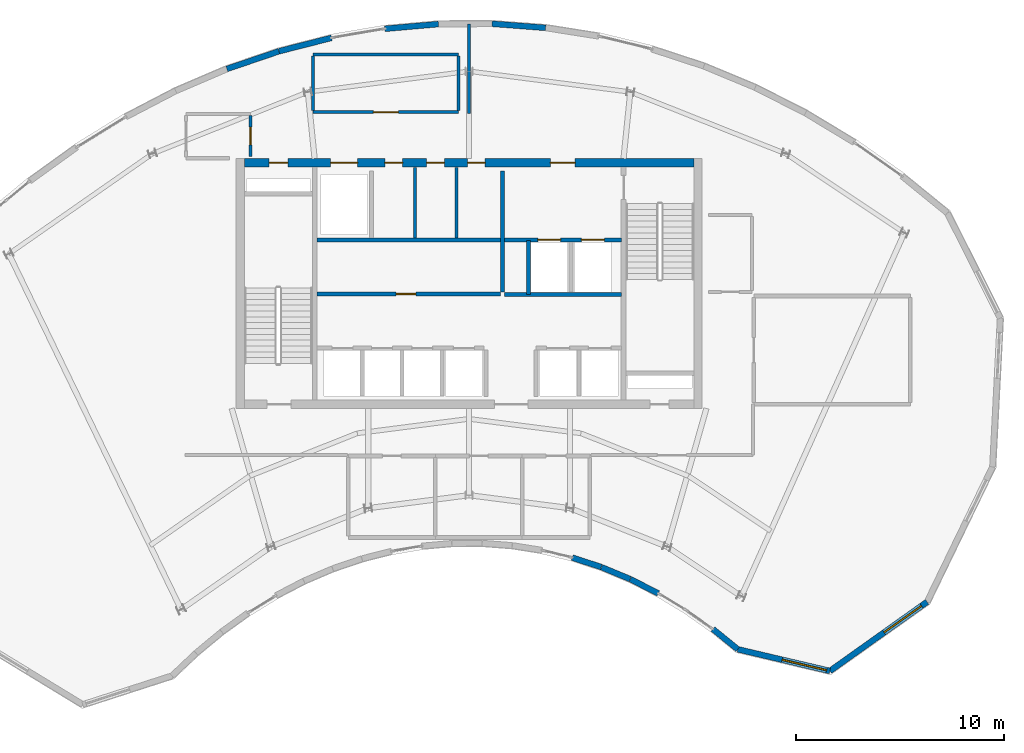
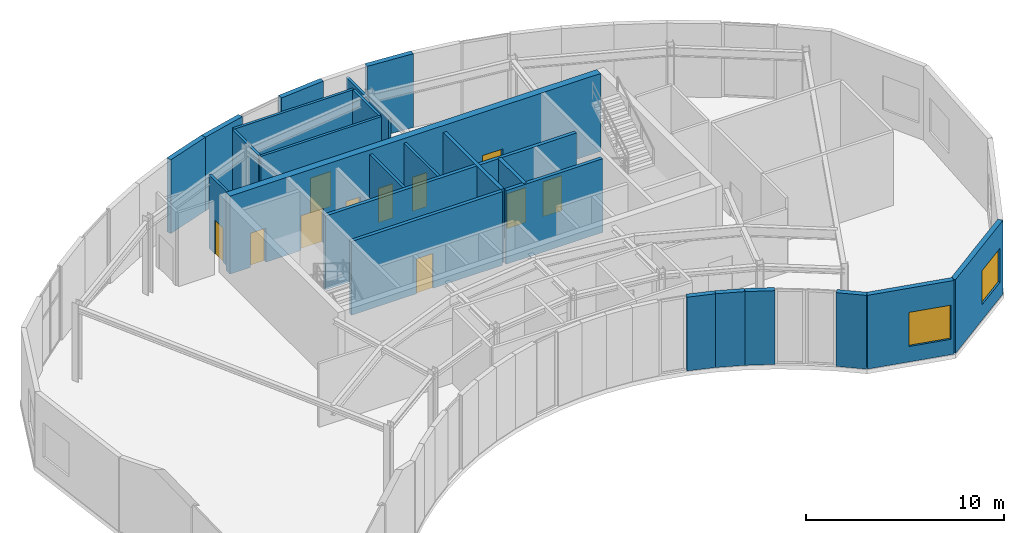
# One storey, part 7 of 10: 25 walls, 11 doors, 2 windows, 13 openings.
"""IFC4 building model written with IfcOpenShell, lengths in metres."""

from ifc_helpers import new_model, si_unit, direction, frame, frame_2d, origin, place, context, subcontext, project, spatial, rectangle, extrude, source, transform, mapped, material, layer, layer_set, type_object, type_shapes, element, fill, save


model = new_model("IFC4")

# Units and contexts
model_context = context("Model", 3, precision=1e-05, world=origin(), true_north=direction((0.0, 1.0)))
body_context = subcontext(model_context, "Body", "Model", "MODEL_VIEW")
ifc_project = project(units=[si_unit("LENGTHUNIT", "METRE"), si_unit("AREAUNIT", "SQUARE_METRE"), si_unit("VOLUMEUNIT", "CUBIC_METRE"), si_unit("PLANEANGLEUNIT", "RADIAN"), si_unit("MASSUNIT", "GRAM", prefix="KILO")], contexts=[model_context])

# Site, building, storey
site_placement = place(None, origin())
site = spatial("IfcSite", under=ifc_project, at=site_placement, CompositionType="ELEMENT")
building_placement = place(site_placement, origin())
building = spatial("IfcBuilding", under=site, at=building_placement, Name="Breltana Convention Tower", CompositionType="ELEMENT")
storey_placement = place(building_placement, frame((0.0, 0.0, 303.0)))
storey = spatial("IfcBuildingStorey", under=building, at=storey_placement, Name="L74", CompositionType="ELEMENT", Elevation=303.0)

# Wall, openings, doors
ifc_material_1 = material(Name="Concrete C50/60", Category="concrete")
ifc_layer_1 = layer(ifc_material_1, 0.39990234375, Name="Concrete C50/60")
ifc_layer_set_1 = layer_set([ifc_layer_1], Name="Concrete C50/60")
wall_type_1 = type_object("IfcWallType", Name="SW-CORE-400", PredefinedType="SHEAR", material=ifc_layer_set_1)
shared_shape_1 = source(origin(), body_context, "Body", "SweptSolid", [
    extrude(rectangle(XDim=21.60009765625, YDim=0.39990234375, at=frame_2d((10.800048828125, 0.0))), origin(), (0.0, 0.0, 1.0), 4.800048828125),
])
wall_1_placement = place(storey_placement, frame((37.199951171875, 72.0, 0.0), z_axis=(0.0, 0.0, 1.0), x_axis=(1.0, 0.0, 0.0)))
wall_1 = element("IfcWall", 1, at=wall_1_placement, inside=storey, type_object=wall_type_1, Name="L74 North Core Shear Wall", PredefinedType="SHEAR", context=body_context, shape_type="MappedRepresentation", body=[
    mapped(shared_shape_1, transform((0.0, 0.0, 0.0), scale=1.0)),
])
opening_1_placement = place(wall_1_placement, frame((1.199951171875, 0.0, 0.0)))
opening_1 = element("IfcOpeningElement", 2, at=opening_1_placement, cuts=wall_1, Name="Opening D-18", PredefinedType="OPENING", context=body_context, shape_type="SweptSolid", body=[
    extrude(rectangle(XDim=0.89990234375, YDim=2.10009765625, at=frame_2d((0.449951171875, 1.050048828125))), frame((0.0, 0.2099609375, 0.0), z_axis=(0.0, -1.0, 0.0), x_axis=(1.0, 0.0, 0.0)), (0.0, 0.0, 1.0), 0.419921875),
])
opening_2_placement = place(wall_1_placement, frame((14.699951171875, 0.0, 0.0)))
opening_2 = element("IfcOpeningElement", 3, at=opening_2_placement, cuts=wall_1, Name="Opening D-09", PredefinedType="OPENING", context=body_context, shape_type="SweptSolid", body=[
    extrude(rectangle(XDim=1.199951171875, YDim=2.14990234375, at=frame_2d((0.60009765625, 1.074951171875))), frame((0.0, 0.2099609375, 0.0), z_axis=(0.0, -1.0, 0.0), x_axis=(1.0, 0.0, 0.0)), (0.0, 0.0, 1.0), 0.419921875),
])
opening_3_placement = place(wall_1_placement, frame((4.14990234375, 0.0, 0.0)))
opening_3 = element("IfcOpeningElement", 4, at=opening_3_placement, cuts=wall_1, Name="Opening LD-01", PredefinedType="OPENING", context=body_context, shape_type="SweptSolid", body=[
    extrude(rectangle(XDim=1.300048828125, YDim=2.14990234375, at=frame_2d((0.64990234375, 1.074951171875))), frame((0.0, 0.2099609375, 0.0), z_axis=(0.0, -1.0, 0.0), x_axis=(1.0, 0.0, 0.0)), (0.0, 0.0, 1.0), 0.419921875),
])
opening_4_placement = place(wall_1_placement, frame((6.760009765625, 0.0, 0.0)))
opening_4 = element("IfcOpeningElement", 5, at=opening_4_placement, cuts=wall_1, Name="Opening D-20", PredefinedType="OPENING", context=body_context, shape_type="SweptSolid", body=[
    extrude(rectangle(XDim=0.85009765625, YDim=2.10009765625, at=frame_2d((0.425048828125, 1.050048828125))), frame((0.0, 0.2099609375, 0.0), z_axis=(0.0, -1.0, 0.0), x_axis=(1.0, 0.0, 0.0)), (0.0, 0.0, 1.0), 0.419921875),
])
opening_5_placement = place(wall_1_placement, frame((8.760009765625, 0.0, 0.0)))
opening_5 = element("IfcOpeningElement", 6, at=opening_5_placement, cuts=wall_1, Name="Opening D-20", PredefinedType="OPENING", context=body_context, shape_type="SweptSolid", body=[
    extrude(rectangle(XDim=0.85009765625, YDim=2.10009765625, at=frame_2d((0.425048828125, 1.050048828125))), frame((0.0, 0.2099609375, 0.0), z_axis=(0.0, -1.0, 0.0), x_axis=(1.0, 0.0, 0.0)), (0.0, 0.0, 1.0), 0.419921875),
])
opening_6_placement = place(wall_1_placement, frame((10.72509765625, 0.0, 0.0)))
opening_6 = element("IfcOpeningElement", 7, at=opening_6_placement, cuts=wall_1, Name="Opening D-20", PredefinedType="OPENING", context=body_context, shape_type="SweptSolid", body=[
    extrude(rectangle(XDim=0.85009765625, YDim=2.10009765625, at=frame_2d((0.425048828125, 1.050048828125))), frame((0.0, 0.2099609375, 0.0), z_axis=(0.0, -1.0, 0.0), x_axis=(1.0, 0.0, 0.0)), (0.0, 0.0, 1.0), 0.419921875),
])
ifc_material_2 = material(Name="Steel Riser Fire Door", Category="steel")
door_type_1 = type_object("IfcDoorType", Name="DR-FD60-900", OperationType="NOTDEFINED", PredefinedType="DOOR", material=ifc_material_2)
shared_shape_2 = source(origin(), body_context, "Body", "SweptSolid", [
    extrude(rectangle(XDim=0.89990234375, YDim=2.10009765625, at=frame_2d((0.449951171875, 1.050048828125))), frame((0.0, 0.02490234375, 0.0), z_axis=(0.0, -1.0, 0.0), x_axis=(1.0, 0.0, 0.0)), (0.0, 0.0, 1.0), 0.050048828125),
])
type_shapes(door_type_1, [shared_shape_2])
door_1_placement = place(opening_1_placement, origin())
door_1 = element("IfcDoor", 8, at=door_1_placement, inside=storey, type_object=door_type_1, Name="L74 Core Riser Access Door D-L74-RS1", OperationType="SINGLE_SWING_LEFT", OverallHeight=2.10009765625, OverallWidth=0.89990234375, PredefinedType="DOOR", context=body_context, shape_type="MappedRepresentation", body=[
    mapped(shared_shape_2, transform((0.0, 0.0, 0.0), scale=1.0)),
])
fill(opening_1, door_1)
ifc_material_3 = material(Name="Steel Fire Lobby Door", Category="steel")
door_type_2 = type_object("IfcDoorType", Name="DR-FD120-1200", OperationType="NOTDEFINED", PredefinedType="DOOR", material=ifc_material_3)
shared_shape_3 = source(origin(), body_context, "Body", "SweptSolid", [
    extrude(rectangle(XDim=1.199951171875, YDim=2.14990234375, at=frame_2d((0.60009765625, 1.074951171875))), frame((0.0, 0.02490234375, 0.0), z_axis=(0.0, -1.0, 0.0), x_axis=(1.0, 0.0, 0.0)), (0.0, 0.0, 1.0), 0.050048828125),
])
type_shapes(door_type_2, [shared_shape_3])
door_2_placement = place(opening_2_placement, origin())
door_2 = element("IfcDoor", 9, at=door_2_placement, inside=storey, type_object=door_type_2, Name="L74 interior door D-L74-FFL-N", OperationType="SINGLE_SWING_RIGHT", OverallHeight=2.14990234375, OverallWidth=1.199951171875, PredefinedType="DOOR", context=body_context, shape_type="MappedRepresentation", body=[
    mapped(shared_shape_3, transform((0.0, 0.0, 0.0), scale=1.0)),
])
fill(opening_2, door_2)
ifc_material_4 = material(Name="Stainless Steel Brushed", Category="steel")
door_type_3 = type_object("IfcDoorType", Name="DR-LD-SRV-1300", OperationType="DOUBLE_DOOR_SLIDING", PredefinedType="DOOR", material=ifc_material_4)
shared_shape_4 = source(origin(), body_context, "Body", "SweptSolid", [
    extrude(rectangle(XDim=1.300048828125, YDim=2.14990234375, at=frame_2d((0.64990234375, 1.074951171875))), frame((0.0, 0.02490234375, 0.0), z_axis=(0.0, -1.0, 0.0), x_axis=(1.0, 0.0, 0.0)), (0.0, 0.0, 1.0), 0.050048828125),
])
type_shapes(door_type_3, [shared_shape_4])
door_3_placement = place(opening_3_placement, origin())
door_3 = element("IfcDoor", 10, at=door_3_placement, inside=storey, type_object=door_type_3, Name="L74 Lift Landing Door D-L74-LD-SV1", OperationType="DOUBLE_DOOR_SLIDING", OverallHeight=2.14990234375, OverallWidth=1.300048828125, PredefinedType="DOOR", context=body_context, shape_type="MappedRepresentation", body=[
    mapped(shared_shape_4, transform((0.0, 0.0, 0.0), scale=1.0)),
])
fill(opening_3, door_3)
ifc_material_5 = material(Name="Steel Closet Fire Door", Category="steel")
door_type_4 = type_object("IfcDoorType", Name="DR-FD60-850", OperationType="NOTDEFINED", PredefinedType="DOOR", material=ifc_material_5)
shared_shape_5 = source(origin(), body_context, "Body", "SweptSolid", [
    extrude(rectangle(XDim=0.85009765625, YDim=2.10009765625, at=frame_2d((0.425048828125, 1.050048828125))), frame((0.0, 0.02490234375, 0.0), z_axis=(0.0, -1.0, 0.0), x_axis=(1.0, 0.0, 0.0)), (0.0, 0.0, 1.0), 0.050048828125),
])
type_shapes(door_type_4, [shared_shape_5])
door_4_placement = place(opening_4_placement, origin())
door_4 = element("IfcDoor", 11, at=door_4_placement, inside=storey, type_object=door_type_4, Name="L74 interior door D-L74-CRA1", OperationType="SINGLE_SWING_RIGHT", OverallHeight=2.10009765625, OverallWidth=0.85009765625, PredefinedType="DOOR", context=body_context, shape_type="MappedRepresentation", body=[
    mapped(shared_shape_5, transform((0.0, 0.0, 0.0), scale=1.0)),
])
fill(opening_4, door_4)
door_5_placement = place(opening_5_placement, origin())
door_5 = element("IfcDoor", 12, at=door_5_placement, inside=storey, type_object=door_type_4, Name="L74 interior door D-L74-CRA2", OperationType="SINGLE_SWING_LEFT", OverallHeight=2.10009765625, OverallWidth=0.85009765625, PredefinedType="DOOR", context=body_context, shape_type="MappedRepresentation", body=[
    mapped(shared_shape_5, transform((0.0, 0.0, 0.0), scale=1.0)),
])
fill(opening_5, door_5)
door_6_placement = place(opening_6_placement, origin())
door_6 = element("IfcDoor", 13, at=door_6_placement, inside=storey, type_object=door_type_4, Name="L74 interior door D-L74-CRA3", OperationType="SINGLE_SWING_RIGHT", OverallHeight=2.10009765625, OverallWidth=0.85009765625, PredefinedType="DOOR", context=body_context, shape_type="MappedRepresentation", body=[
    mapped(shared_shape_5, transform((0.0, 0.0, 0.0), scale=1.0)),
])
fill(opening_6, door_6)

# Wall, opening, window
ifc_material_6 = material(Name="Limestone Buff Insulated Wall", Category="masonry")
ifc_layer_2 = layer(ifc_material_6, 0.280029296875, Name="Limestone Buff Insulated Wall")
ifc_layer_set_2 = layer_set([ifc_layer_2], Name="Limestone Buff Insulated Wall")
wall_type_2 = type_object("IfcWallType", Name="WL-EXT-NOSE-280", PredefinedType="SOLIDWALL", material=ifc_layer_set_2)
shared_shape_6 = source(origin(), body_context, "Body", "SweptSolid", [
    extrude(rectangle(XDim=5.730712890625, YDim=0.280029296875, at=frame_2d((2.865234375, 0.0))), origin(), (0.0, 0.0, 1.0), 4.5400390625),
])
wall_2_placement = place(storey_placement, frame((70.003662109375, 50.9091796875, 0.0), z_axis=(0.0, 0.0, 1.0), x_axis=(-0.815021045908, -0.579431354629, 0.0)))
wall_2 = element("IfcWall", 14, at=wall_2_placement, inside=storey, type_object=wall_type_2, Name="L74 curved limestone nose wall E4", PredefinedType="SOLIDWALL", context=body_context, shape_type="MappedRepresentation", body=[
    mapped(shared_shape_6, transform((0.0, 0.0, 0.0), scale=1.0)),
])
opening_7_placement = place(wall_2_placement, frame((0.332763671875, 0.0, 0.949951171875)))
opening_7 = element("IfcOpeningElement", 15, at=opening_7_placement, cuts=wall_2, Name="Opening W-03", PredefinedType="OPENING", context=body_context, shape_type="SweptSolid", body=[
    extrude(rectangle(XDim=2.199951171875, YDim=2.10009765625, at=frame_2d((1.10009765625, 1.050048828125))), frame((0.0, 0.14990234375, 0.0), z_axis=(0.0, -1.0, 0.0), x_axis=(1.0, 0.0, 0.0)), (0.0, 0.0, 1.0), 0.300048828125),
])
ifc_material_7 = material(Name="Glass Low-E Insulated Window", Category="glass")
window_type = type_object("IfcWindowType", Name="WN-NOSE-2200X2100", PartitioningType="TRIPLE_PANEL_VERTICAL", PredefinedType="WINDOW", material=ifc_material_7)
shared_shape_7 = source(origin(), body_context, "Body", "SweptSolid", [
    extrude(rectangle(XDim=2.199951171875, YDim=2.10009765625, at=frame_2d((1.10009765625, 1.050048828125))), frame((0.0, 0.030029296875, 0.0), z_axis=(0.0, -1.0, 0.0), x_axis=(1.0, 0.0, 0.0)), (0.0, 0.0, 1.0), 0.06005859375),
])
type_shapes(window_type, [shared_shape_7])
window_1_placement = place(opening_7_placement, origin())
window_1 = element("IfcWindow", 16, at=window_1_placement, inside=storey, type_object=window_type, Name="L74 nose window E4", OverallHeight=2.10009765625, OverallWidth=2.199951171875, PartitioningType="TRIPLE_PANEL_VERTICAL", PredefinedType="WINDOW", context=body_context, shape_type="MappedRepresentation", body=[
    mapped(shared_shape_7, transform((0.0, 0.0, 0.0), scale=1.0)),
])
fill(opening_7, window_1)

shared_shape_8 = source(origin(), body_context, "Body", "SweptSolid", [
    extrude(rectangle(XDim=4.546630859375, YDim=0.280029296875, at=frame_2d((2.2734375, 0.0))), origin(), (0.0, 0.0, 1.0), 4.5400390625),
])
wall_3_placement = place(storey_placement, frame((65.3330078125, 47.588623046875, 0.0), z_axis=(0.0, 0.0, 1.0), x_axis=(-0.973332593516, 0.229398479505, 0.0)))
wall_3 = element("IfcWall", 17, at=wall_3_placement, inside=storey, type_object=wall_type_2, Name="L74 curved limestone nose wall E5", PredefinedType="SOLIDWALL", context=body_context, shape_type="MappedRepresentation", body=[
    mapped(shared_shape_8, transform((0.0, 0.0, 0.0), scale=1.0)),
])
opening_8_placement = place(wall_3_placement, frame((0.159912109375, 0.0, 0.949951171875)))
opening_8 = element("IfcOpeningElement", 18, at=opening_8_placement, cuts=wall_3, Name="Opening W-03", PredefinedType="OPENING", context=body_context, shape_type="SweptSolid", body=[
    extrude(rectangle(XDim=2.199951171875, YDim=2.10009765625, at=frame_2d((1.10009765625, 1.050048828125))), frame((0.0, 0.14990234375, 0.0), z_axis=(0.0, -1.0, 0.0), x_axis=(1.0, 0.0, 0.0)), (0.0, 0.0, 1.0), 0.300048828125),
])
window_2_placement = place(opening_8_placement, origin())
window_2 = element("IfcWindow", 19, at=window_2_placement, inside=storey, type_object=window_type, Name="L74 nose window E5", OverallHeight=2.10009765625, OverallWidth=2.199951171875, PartitioningType="TRIPLE_PANEL_VERTICAL", PredefinedType="WINDOW", context=body_context, shape_type="MappedRepresentation", body=[
    mapped(shared_shape_7, transform((0.0, 0.0, 0.0), scale=1.0)),
])
fill(opening_8, window_2)

# Walls
shared_shape_9 = source(origin(), body_context, "Body", "SweptSolid", [
    extrude(rectangle(XDim=1.54345703125, YDim=0.280029296875, at=frame_2d((0.771728515625, 0.0))), origin(), (0.0, 0.0, 1.0), 4.5400390625),
])
wall_4_placement = place(storey_placement, frame((60.90771484375, 48.631591796875, 0.0), z_axis=(0.0, 0.0, 1.0), x_axis=(-0.77582846857, 0.63094388606, 0.0)))
element("IfcWall", 20, at=wall_4_placement, inside=storey, type_object=wall_type_2, Name="L74 curved limestone nose wall E6", PredefinedType="SOLIDWALL", context=body_context, shape_type="MappedRepresentation", body=[
    mapped(shared_shape_9, transform((0.0, 0.0, 0.0), scale=1.0)),
])
shared_shape_10 = source(origin(), body_context, "Body", "SweptSolid", [
    extrude(rectangle(XDim=1.508544921875, YDim=0.280029296875, at=frame_2d((0.75439453125, 0.0))), origin(), (0.0, 0.0, 1.0), 4.5400390625),
])
wall_5_placement = place(storey_placement, frame((57.09375, 51.3154296875, 0.0), z_axis=(0.0, 0.0, 1.0), x_axis=(-0.89169189228, 0.452642871635, 0.0)))
element("IfcWall", 21, at=wall_5_placement, inside=storey, type_object=wall_type_2, Name="L74 curved limestone nose wall E7", PredefinedType="SOLIDWALL", context=body_context, shape_type="MappedRepresentation", body=[
    mapped(shared_shape_10, transform((0.0, 0.0, 0.0), scale=1.0)),
])
shared_shape_11 = source(origin(), body_context, "Body", "SweptSolid", [
    extrude(rectangle(XDim=1.48779296875, YDim=0.280029296875, at=frame_2d((0.743896484375, 0.0))), origin(), (0.0, 0.0, 1.0), 4.5400390625),
])
wall_6_placement = place(storey_placement, frame((55.736328125, 52.00390625, 0.0), z_axis=(0.0, 0.0, 1.0), x_axis=(-0.923261314935, 0.384172545017, 0.0)))
element("IfcWall", 22, at=wall_6_placement, inside=storey, type_object=wall_type_2, Name="L74 curved limestone nose wall E8", PredefinedType="SOLIDWALL", context=body_context, shape_type="MappedRepresentation", body=[
    mapped(shared_shape_11, transform((0.0, 0.0, 0.0), scale=1.0)),
])
shared_shape_12 = source(origin(), body_context, "Body", "SweptSolid", [
    extrude(rectangle(XDim=1.470458984375, YDim=0.280029296875, at=frame_2d((0.7353515625, 0.0))), origin(), (0.0, 0.0, 1.0), 4.5400390625),
])
wall_7_placement = place(storey_placement, frame((54.349609375, 52.580322265625, 0.0), z_axis=(0.0, 0.0, 1.0), x_axis=(-0.950248878954, 0.311491682145, 0.0)))
element("IfcWall", 23, at=wall_7_placement, inside=storey, type_object=wall_type_2, Name="L74 curved limestone nose wall E9", PredefinedType="SOLIDWALL", context=body_context, shape_type="MappedRepresentation", body=[
    mapped(shared_shape_12, transform((0.0, 0.0, 0.0), scale=1.0)),
])
shared_shape_13 = source(origin(), body_context, "Body", "SweptSolid", [
    extrude(rectangle(XDim=2.640380859375, YDim=0.280029296875, at=frame_2d((1.3203125, 0.0))), origin(), (0.0, 0.0, 1.0), 4.5400390625),
])
wall_8_placement = place(storey_placement, frame((36.36376953125, 76.51123046875, 0.0), z_axis=(0.0, 0.0, 1.0), x_axis=(0.946685911962, 0.322158011064, 0.0)))
element("IfcWall", 24, at=wall_8_placement, inside=storey, type_object=wall_type_2, Name="L74 curved limestone nose wall E23", PredefinedType="SOLIDWALL", context=body_context, shape_type="MappedRepresentation", body=[
    mapped(shared_shape_13, transform((0.0, 0.0, 0.0), scale=1.0)),
])
shared_shape_14 = source(origin(), body_context, "Body", "SweptSolid", [
    extrude(rectangle(XDim=2.6142578125, YDim=0.280029296875, at=frame_2d((1.30712890625, 0.0))), origin(), (0.0, 0.0, 1.0), 4.5400390625),
])
wall_9_placement = place(storey_placement, frame((38.86328125, 77.36181640625, 0.0), z_axis=(0.0, 0.0, 1.0), x_axis=(0.969106509315, 0.246642602978, 0.0)))
element("IfcWall", 25, at=wall_9_placement, inside=storey, type_object=wall_type_2, Name="L74 curved limestone nose wall E24", PredefinedType="SOLIDWALL", context=body_context, shape_type="MappedRepresentation", body=[
    mapped(shared_shape_14, transform((0.0, 0.0, 0.0), scale=1.0)),
])
shared_shape_15 = source(origin(), body_context, "Body", "SweptSolid", [
    extrude(rectangle(XDim=2.58251953125, YDim=0.280029296875, at=frame_2d((1.291259765625, 0.0))), origin(), (0.0, 0.0, 1.0), 4.5400390625),
])
wall_10_placement = place(storey_placement, frame((43.954345703125, 78.4423828125, 0.0), z_axis=(0.0, 0.0, 1.0), x_axis=(0.996168946569, 0.087449584851, 0.0)))
element("IfcWall", 26, at=wall_10_placement, inside=storey, type_object=wall_type_2, Name="L74 curved limestone nose wall E25", PredefinedType="SOLIDWALL", context=body_context, shape_type="MappedRepresentation", body=[
    mapped(shared_shape_15, transform((0.0, 0.0, 0.0), scale=1.0)),
])
shared_shape_16 = source(origin(), body_context, "Body", "SweptSolid", [
    extrude(rectangle(XDim=2.581298828125, YDim=0.280029296875, at=frame_2d((1.29052734375, 0.0))), origin(), (0.0, 0.0, 1.0), 4.5400390625),
])
wall_11_placement = place(storey_placement, frame((49.10498046875, 78.68359375, 0.0), z_axis=(0.0, 0.0, 1.0), x_axis=(0.997111514352, -0.075951484161, 0.0)))
element("IfcWall", 27, at=wall_11_placement, inside=storey, type_object=wall_type_2, Name="L74 curved limestone nose wall E27", PredefinedType="SOLIDWALL", context=body_context, shape_type="MappedRepresentation", body=[
    mapped(shared_shape_16, transform((0.0, 0.0, 0.0), scale=1.0)),
])

# Wall, openings, doors
ifc_material_8 = material(Name="Autoclaved Aerated Concrete Block", Category="concrete")
ifc_layer_3 = layer(ifc_material_8, 0.199951171875, Name="Autoclaved Aerated Concrete Block")
ifc_layer_set_3 = layer_set([ifc_layer_3], Name="Autoclaved Aerated Concrete Block")
wall_type_3 = type_object("IfcWallType", Name="WL-SHAFT-200", PredefinedType="SOLIDWALL", material=ifc_layer_set_3)
shared_shape_17 = source(origin(), body_context, "Body", "SweptSolid", [
    extrude(rectangle(XDim=5.6201171875, YDim=0.199951171875, at=frame_2d((2.81005859375, 0.0))), origin(), (0.0, 0.0, 1.0), 4.5400390625),
])
wall_12_placement = place(storey_placement, frame((49.699951171875, 68.300048828125, 0.0), z_axis=(0.0, 0.0, 1.0), x_axis=(1.0, 0.0, 0.0)))
wall_12 = element("IfcWall", 28, at=wall_12_placement, inside=storey, type_object=wall_type_3, Name="L74 interior partition W-L74-FFL-S", PredefinedType="SOLIDWALL", context=body_context, shape_type="MappedRepresentation", body=[
    mapped(shared_shape_17, transform((0.0, 0.0, 0.0), scale=1.0)),
])
opening_9_placement = place(wall_12_placement, frame((1.60009765625, 0.0, 0.0)))
opening_9 = element("IfcOpeningElement", 29, at=opening_9_placement, cuts=wall_12, Name="Opening LD-03", PredefinedType="OPENING", context=body_context, shape_type="SweptSolid", body=[
    extrude(rectangle(XDim=1.10009765625, YDim=2.14990234375, at=frame_2d((0.550048828125, 1.074951171875))), frame((0.0, 0.10986328125, 0.0), z_axis=(0.0, -1.0, 0.0), x_axis=(1.0, 0.0, 0.0)), (0.0, 0.0, 1.0), 0.219970703125),
])
opening_10_placement = place(wall_12_placement, frame((3.699951171875, 0.0, 0.0)))
opening_10 = element("IfcOpeningElement", 30, at=opening_10_placement, cuts=wall_12, Name="Opening LD-03", PredefinedType="OPENING", context=body_context, shape_type="SweptSolid", body=[
    extrude(rectangle(XDim=1.10009765625, YDim=2.14990234375, at=frame_2d((0.550048828125, 1.074951171875))), frame((0.0, 0.10986328125, 0.0), z_axis=(0.0, -1.0, 0.0), x_axis=(1.0, 0.0, 0.0)), (0.0, 0.0, 1.0), 0.219970703125),
])
door_type_5 = type_object("IfcDoorType", Name="DR-LD-FF-1100", OperationType="DOUBLE_DOOR_SLIDING", PredefinedType="DOOR", material=ifc_material_4)
shared_shape_18 = source(origin(), body_context, "Body", "SweptSolid", [
    extrude(rectangle(XDim=1.10009765625, YDim=2.14990234375, at=frame_2d((0.550048828125, 1.074951171875))), frame((0.0, 0.02490234375, 0.0), z_axis=(0.0, -1.0, 0.0), x_axis=(1.0, 0.0, 0.0)), (0.0, 0.0, 1.0), 0.050048828125),
])
type_shapes(door_type_5, [shared_shape_18])
door_7_placement = place(opening_9_placement, origin())
door_7 = element("IfcDoor", 31, at=door_7_placement, inside=storey, type_object=door_type_5, Name="L74 Lift Landing Door D-L74-LD-FL1", OperationType="DOUBLE_DOOR_SLIDING", OverallHeight=2.14990234375, OverallWidth=1.10009765625, PredefinedType="DOOR", context=body_context, shape_type="MappedRepresentation", body=[
    mapped(shared_shape_18, transform((0.0, 0.0, 0.0), scale=1.0)),
])
fill(opening_9, door_7)
door_8_placement = place(opening_10_placement, origin())
door_8 = element("IfcDoor", 32, at=door_8_placement, inside=storey, type_object=door_type_5, Name="L74 Lift Landing Door D-L74-LD-FL2", OperationType="DOUBLE_DOOR_SLIDING", OverallHeight=2.14990234375, OverallWidth=1.10009765625, PredefinedType="DOOR", context=body_context, shape_type="MappedRepresentation", body=[
    mapped(shared_shape_18, transform((0.0, 0.0, 0.0), scale=1.0)),
])
fill(opening_10, door_8)

# Walls
wall_13_placement = place(storey_placement, frame((49.699951171875, 65.679931640625, 0.0), z_axis=(0.0, 0.0, 1.0), x_axis=(1.0, 0.0, 0.0)))
element("IfcWall", 33, at=wall_13_placement, inside=storey, type_object=wall_type_3, Name="L74 interior partition W-L74-FL-S", PredefinedType="SOLIDWALL", context=body_context, shape_type="MappedRepresentation", body=[
    mapped(shared_shape_17, transform((0.0, 0.0, 0.0), scale=1.0)),
])
shared_shape_19 = source(origin(), body_context, "Body", "SweptSolid", [
    extrude(rectangle(XDim=5.800048828125, YDim=0.199951171875, at=frame_2d((2.89990234375, 0.0))), origin(), (0.0, 0.0, 1.0), 4.5400390625),
])
wall_14_placement = place(storey_placement, frame((49.60009765625, 65.800048828125, 0.0), z_axis=(0.0, 0.0, 1.0), x_axis=(0.0, 1.0, 0.0)))
element("IfcWall", 34, at=wall_14_placement, inside=storey, type_object=wall_type_3, Name="L74 interior partition W-L74-FFL-W", PredefinedType="SOLIDWALL", context=body_context, shape_type="MappedRepresentation", body=[
    mapped(shared_shape_19, transform((0.0, 0.0, 0.0), scale=1.0)),
])
shared_shape_20 = source(origin(), body_context, "Body", "SweptSolid", [
    extrude(rectangle(XDim=2.580078125, YDim=0.199951171875, at=frame_2d((1.2900390625, 0.0))), origin(), (0.0, 0.0, 1.0), 4.5400390625),
])
wall_15_placement = place(storey_placement, frame((50.85009765625, 65.679931640625, 0.0), z_axis=(0.0, 0.0, 1.0), x_axis=(0.0, 1.0, 0.0)))
element("IfcWall", 35, at=wall_15_placement, inside=storey, type_object=wall_type_3, Name="L74 interior partition W-L74-FL-W", PredefinedType="SOLIDWALL", context=body_context, shape_type="MappedRepresentation", body=[
    mapped(shared_shape_20, transform((0.0, 0.0, 0.0), scale=1.0)),
])
shared_shape_21 = source(origin(), body_context, "Body", "SweptSolid", [
    extrude(rectangle(XDim=8.800048828125, YDim=0.199951171875, at=frame_2d((4.39990234375, 0.0))), origin(), (0.0, 0.0, 1.0), 4.5400390625),
])
wall_16_placement = place(storey_placement, frame((40.699951171875, 68.300048828125, 0.0), z_axis=(0.0, 0.0, 1.0), x_axis=(1.0, 0.0, 0.0)))
element("IfcWall", 36, at=wall_16_placement, inside=storey, type_object=wall_type_3, Name="L74 interior partition W-L74-SV-S", PredefinedType="SOLIDWALL", context=body_context, shape_type="MappedRepresentation", body=[
    mapped(shared_shape_21, transform((0.0, 0.0, 0.0), scale=1.0)),
])

# Wall, opening, door
wall_17_placement = place(storey_placement, frame((40.699951171875, 65.699951171875, 0.0), z_axis=(0.0, 0.0, 1.0), x_axis=(1.0, 0.0, 0.0)))
wall_17 = element("IfcWall", 37, at=wall_17_placement, inside=storey, type_object=wall_type_3, Name="L74 interior partition W-L74-SH-M-FRONT", PredefinedType="SOLIDWALL", context=body_context, shape_type="MappedRepresentation", body=[
    mapped(shared_shape_21, transform((0.0, 0.0, 0.0), scale=1.0)),
])
opening_11_placement = place(wall_17_placement, frame((3.800048828125, 0.0, 0.0)))
opening_11 = element("IfcOpeningElement", 38, at=opening_11_placement, cuts=wall_17, Name="Opening D-14", PredefinedType="OPENING", context=body_context, shape_type="SweptSolid", body=[
    extrude(rectangle(XDim=0.949951171875, YDim=2.14990234375, at=frame_2d((0.47509765625, 1.074951171875))), frame((0.0, 0.10986328125, 0.0), z_axis=(0.0, -1.0, 0.0), x_axis=(1.0, 0.0, 0.0)), (0.0, 0.0, 1.0), 0.219970703125),
])
ifc_material_9 = material(Name="Timber Solid-Core Fire Door", Category="wood")
door_type_6 = type_object("IfcDoorType", Name="DR-FD60-950", OperationType="NOTDEFINED", PredefinedType="DOOR", material=ifc_material_9)
shared_shape_22 = source(origin(), body_context, "Body", "SweptSolid", [
    extrude(rectangle(XDim=0.949951171875, YDim=2.14990234375, at=frame_2d((0.47509765625, 1.074951171875))), frame((0.0, 0.02490234375, 0.0), z_axis=(0.0, -1.0, 0.0), x_axis=(1.0, 0.0, 0.0)), (0.0, 0.0, 1.0), 0.050048828125),
])
type_shapes(door_type_6, [shared_shape_22])
door_9_placement = place(opening_11_placement, origin())
door_9 = element("IfcDoor", 39, at=door_9_placement, inside=storey, type_object=door_type_6, Name="L74 interior door D-L74-LV7-B2A", OperationType="SINGLE_SWING_LEFT", OverallHeight=2.14990234375, OverallWidth=0.949951171875, PredefinedType="DOOR", context=body_context, shape_type="MappedRepresentation", body=[
    mapped(shared_shape_22, transform((0.0, 0.0, 0.0), scale=1.0)),
])
fill(opening_11, door_9)

ifc_material_10 = material(Name="Gypsum Acoustic Drywall Partition")
ifc_layer_4 = layer(ifc_material_10, 0.14990234375, Name="Gypsum Acoustic Drywall Partition")
ifc_layer_set_4 = layer_set([ifc_layer_4], Name="Gypsum Acoustic Drywall Partition")
wall_type_4 = type_object("IfcWallType", Name="WL-PART-150", PredefinedType="PARTITIONING", material=ifc_layer_set_4)
shared_shape_23 = source(origin(), body_context, "Body", "SweptSolid", [
    extrude(rectangle(XDim=1.982421875, YDim=0.14990234375, at=frame_2d((0.9912109375, 0.0))), origin(), (0.0, 0.0, 1.0), 4.5400390625),
])
wall_18_placement = place(storey_placement, frame((37.5, 72.300048828125, 0.0), z_axis=(0.0, 0.0, 1.0), x_axis=(0.0, 1.0, 0.0)))
wall_18 = element("IfcWall", 40, at=wall_18_placement, inside=storey, type_object=wall_type_4, Name="L74 interior partition W-L74-CRNE-E", PredefinedType="PARTITIONING", context=body_context, shape_type="MappedRepresentation", body=[
    mapped(shared_shape_23, transform((0.0, 0.0, 0.0), scale=1.0)),
])
opening_12_placement = place(wall_18_placement, frame((0.56640625, 0.0, 0.0)))
opening_12 = element("IfcOpeningElement", 41, at=opening_12_placement, cuts=wall_18, Name="Opening D-20", PredefinedType="OPENING", context=body_context, shape_type="SweptSolid", body=[
    extrude(rectangle(XDim=0.85009765625, YDim=2.10009765625, at=frame_2d((0.425048828125, 1.050048828125))), frame((0.0, 0.0849609375, 0.0), z_axis=(0.0, -1.0, 0.0), x_axis=(1.0, 0.0, 0.0)), (0.0, 0.0, 1.0), 0.169921875),
])
door_10_placement = place(opening_12_placement, origin())
door_10 = element("IfcDoor", 42, at=door_10_placement, inside=storey, type_object=door_type_4, Name="L74 interior door D-L74-CRNE", OperationType="SINGLE_SWING_RIGHT", OverallHeight=2.10009765625, OverallWidth=0.85009765625, PredefinedType="DOOR", context=body_context, shape_type="MappedRepresentation", body=[
    mapped(shared_shape_5, transform((0.0, 0.0, 0.0), scale=1.0)),
])
fill(opening_12, door_10)

# Walls
shared_shape_24 = source(origin(), body_context, "Body", "SweptSolid", [
    extrude(rectangle(XDim=3.380126953125, YDim=0.14990234375, at=frame_2d((1.68994140625, 0.0))), origin(), (0.0, 0.0, 1.0), 4.5400390625),
])
for number, where, z_axis, x_axis, name in (
    (43, (45.39990234375, 68.39990234375, 0.0), (0.0, 0.0, 1.0), (0.0, 1.0, 0.0), "L74 interior partition W-L74-KV-1"),
    (44, (47.39990234375, 68.39990234375, 0.0), (0.0, 0.0, 1.0), (0.0, 1.0, 0.0), "L74 interior partition W-L74-KV-2"),
):
    element("IfcWall", number, at=place(storey_placement, frame(where, z_axis=z_axis, x_axis=x_axis)), inside=storey, type_object=wall_type_4, Name=name, PredefinedType="PARTITIONING", context=body_context, shape_type="MappedRepresentation", body=[
        mapped(shared_shape_24, transform((0.0, 0.0, 0.0), scale=1.0)),
    ])

# Wall, opening, door
shared_shape_25 = source(origin(), body_context, "Body", "SweptSolid", [
    extrude(rectangle(XDim=7.0, YDim=0.14990234375, at=frame_2d((3.5, 0.0))), origin(), (0.0, 0.0, 1.0), 4.5400390625),
])
wall_19_placement = place(storey_placement, frame((40.5, 74.43994140625, 0.0), z_axis=(0.0, 0.0, 1.0), x_axis=(1.0, 0.0, 0.0)))
wall_19 = element("IfcWall", 45, at=wall_19_placement, inside=storey, type_object=wall_type_4, Name="L74 interior partition W-L74-PDR-S", PredefinedType="PARTITIONING", context=body_context, shape_type="MappedRepresentation", body=[
    mapped(shared_shape_25, transform((0.0, 0.0, 0.0), scale=1.0)),
])
opening_13_placement = place(wall_19_placement, frame((2.89990234375, 0.0, 0.0)))
opening_13 = element("IfcOpeningElement", 46, at=opening_13_placement, cuts=wall_19, Name="Opening D-10", PredefinedType="OPENING", context=body_context, shape_type="SweptSolid", body=[
    extrude(rectangle(XDim=1.199951171875, YDim=2.14990234375, at=frame_2d((0.60009765625, 1.074951171875))), frame((0.0, 0.0849609375, 0.0), z_axis=(0.0, -1.0, 0.0), x_axis=(1.0, 0.0, 0.0)), (0.0, 0.0, 1.0), 0.169921875),
])
ifc_material_11 = material(Name="Timber Oak Veneer Fire Door", Category="wood")
door_type_7 = type_object("IfcDoorType", Name="DR-INT-1200", OperationType="NOTDEFINED", PredefinedType="DOOR", material=ifc_material_11)
shared_shape_26 = source(origin(), body_context, "Body", "SweptSolid", [
    extrude(rectangle(XDim=1.199951171875, YDim=2.14990234375, at=frame_2d((0.60009765625, 1.074951171875))), frame((0.0, 0.02490234375, 0.0), z_axis=(0.0, -1.0, 0.0), x_axis=(1.0, 0.0, 0.0)), (0.0, 0.0, 1.0), 0.050048828125),
])
type_shapes(door_type_7, [shared_shape_26])
door_11_placement = place(opening_13_placement, origin())
door_11 = element("IfcDoor", 47, at=door_11_placement, inside=storey, type_object=door_type_7, Name="L74 interior door D-L74-PDR", OperationType="SINGLE_SWING_RIGHT", OverallHeight=2.14990234375, OverallWidth=1.199951171875, PredefinedType="DOOR", context=body_context, shape_type="MappedRepresentation", body=[
    mapped(shared_shape_26, transform((0.0, 0.0, 0.0), scale=1.0)),
])
fill(opening_13, door_11)

# Walls
wall_20_placement = place(storey_placement, frame((40.5, 77.199951171875, 0.0), z_axis=(0.0, 0.0, 1.0), x_axis=(1.0, 0.0, 0.0)))
element("IfcWall", 48, at=wall_20_placement, inside=storey, type_object=wall_type_4, Name="L74 interior partition W-L74-PDR-N", PredefinedType="PARTITIONING", context=body_context, shape_type="MappedRepresentation", body=[
    mapped(shared_shape_25, transform((0.0, 0.0, 0.0), scale=1.0)),
])
shared_shape_27 = source(origin(), body_context, "Body", "SweptSolid", [
    extrude(rectangle(XDim=2.625, YDim=0.14990234375, at=frame_2d((1.3125, 0.0))), origin(), (0.0, 0.0, 1.0), 4.5400390625),
])
for number, where, z_axis, x_axis, name in (
    (49, (40.5, 74.507568359375, 0.0), (0.0, 0.0, 1.0), (0.0, 1.0, 0.0), "L74 interior partition W-L74-PDR-W"),
    (50, (47.5, 74.507568359375, 0.0), (0.0, 0.0, 1.0), (0.0, 1.0, 0.0), "L74 interior partition W-L74-PDR-E"),
):
    element("IfcWall", number, at=place(storey_placement, frame(where, z_axis=z_axis, x_axis=x_axis)), inside=storey, type_object=wall_type_4, Name=name, PredefinedType="PARTITIONING", context=body_context, shape_type="MappedRepresentation", body=[
        mapped(shared_shape_27, transform((0.0, 0.0, 0.0), scale=1.0)),
    ])
shared_shape_28 = source(origin(), body_context, "Body", "SweptSolid", [
    extrude(rectangle(XDim=4.287109375, YDim=0.14990234375, at=frame_2d((2.1435546875, 0.0))), origin(), (0.0, 0.0, 1.0), 4.214111328125),
])
wall_21_placement = place(storey_placement, frame((48.0, 74.3798828125, 0.0), z_axis=(0.0, 0.0, 1.0), x_axis=(0.0, 1.0, 0.0)))
element("IfcWall", 51, at=wall_21_placement, inside=storey, type_object=wall_type_4, Name="L74 interior partition W-L74-L74-MN", PredefinedType="PARTITIONING", context=body_context, shape_type="MappedRepresentation", body=[
    mapped(shared_shape_28, transform((0.0, 0.0, 0.0), scale=1.0)),
])

save(model, "model.ifc")
